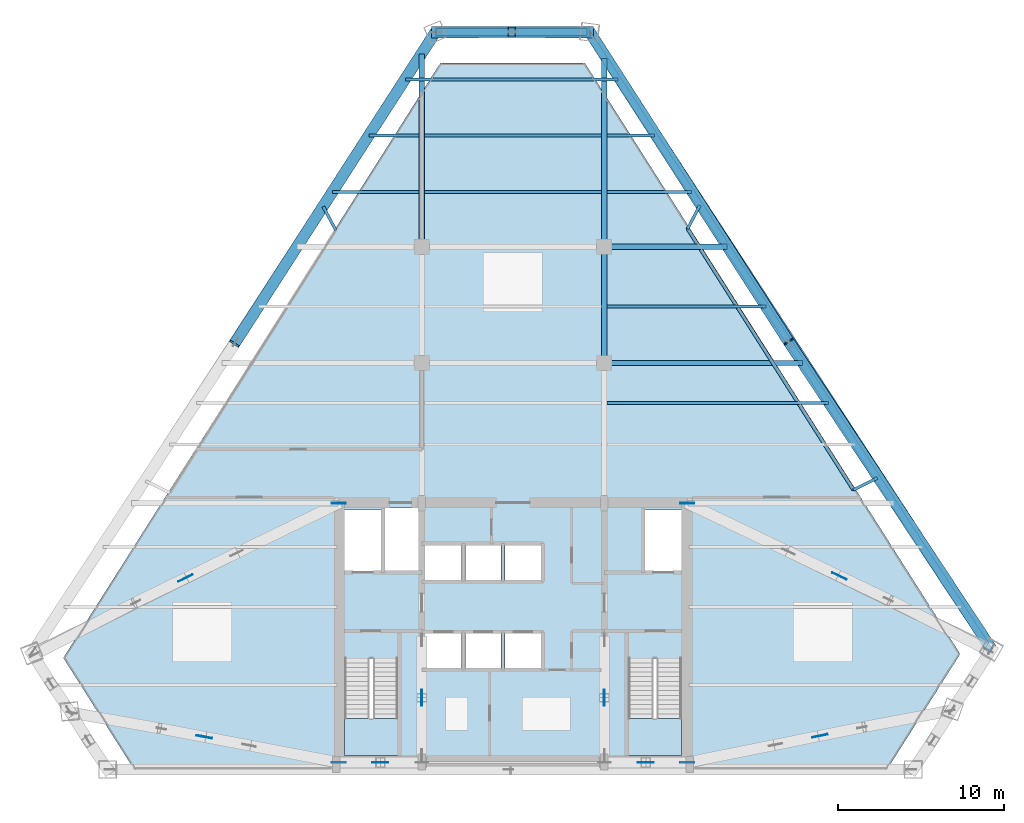
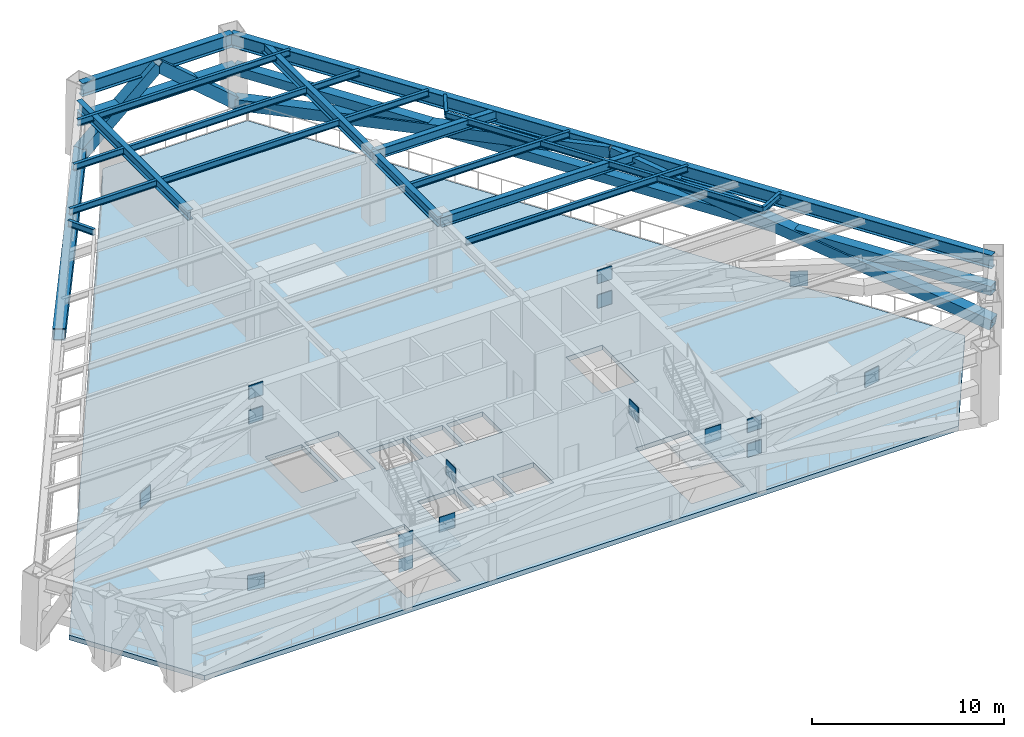
# One storey, part 3 of 9: 20 beams, 16 plates, 7 members, 3 slabs, 2 elements without a shape of their own.
"""IFC4 building model written with IfcOpenShell, lengths in metres."""

from ifc_helpers import new_model, si_unit, direction, frame, origin, origin_2d, place, context, subcontext, project, spatial, polyline, rectangle, hollow_rectangle, i_section, outline, extrude, source, transform, mapped, material, layer, layer_set, material_profile, profile_set, type_object, type_shapes, element, aggregate, save


model = new_model("IFC4")

# Units and contexts
model_context = context("Model", 3, precision=1e-05, world=origin(), true_north=direction((0.0, 1.0)))
body_context = subcontext(model_context, "Body", "Model", "MODEL_VIEW")
ifc_project = project(units=[si_unit("LENGTHUNIT", "METRE"), si_unit("AREAUNIT", "SQUARE_METRE"), si_unit("VOLUMEUNIT", "CUBIC_METRE"), si_unit("PLANEANGLEUNIT", "RADIAN"), si_unit("MASSUNIT", "GRAM", prefix="KILO")], contexts=[model_context])

# Site, building, storey
site_placement = place(None, origin())
site = spatial("IfcSite", under=ifc_project, at=site_placement, CompositionType="ELEMENT")
building_placement = place(site_placement, origin())
building = spatial("IfcBuilding", under=site, at=building_placement, Name="Varnakhor Terracotta Tower", CompositionType="ELEMENT")
storey_placement = place(building_placement, frame((0.0, 0.0, 166.300048828125)))
storey = spatial("IfcBuildingStorey", under=building, at=storey_placement, Name="L42", CompositionType="ELEMENT", Elevation=166.300048828125)

# Beams
ifc_material_1 = material(Name="Steel S355", Category="steel")
ifc_material_profile_1 = material_profile(ifc_material_1, i_section(OverallWidth=0.324951171875, OverallDepth=0.615966796875, WebThickness=0.013916015625, FlangeThickness=0.02197265625, FilletRadius=0.01806640625, at=origin_2d()), Name="W24X117")
ifc_profile_set_1 = profile_set([ifc_material_profile_1], Name="Steel S355")
beam_type_1 = type_object("IfcBeamType", Name="BM-W24X117", PredefinedType="BEAM", material=ifc_profile_set_1)
shared_shape_1 = source(origin(), body_context, "Body", "SweptSolid", [
    extrude(i_section(OverallWidth=0.324951171875, OverallDepth=0.615966796875, WebThickness=0.013916015625, FlangeThickness=0.02197265625, FilletRadius=0.01806640625, at=origin_2d()), origin(), (0.0, 0.0, 1.0), 7.0),
])
beam_1_placement = place(storey_placement, frame((5.5, 24.5, 4.161865234375), z_axis=(0.0, 1.0, 0.0), x_axis=(-1.0, 0.0, 0.0)))
element("IfcBeam", 1, at=beam_1_placement, inside=storey, type_object=beam_type_1, Name="L42 Primary Girder NS2-E", PredefinedType="BEAM", context=body_context, shape_type="MappedRepresentation", body=[
    mapped(shared_shape_1, transform((0.0, 0.0, 0.0), scale=1.0)),
])
ifc_material_profile_2 = material_profile(ifc_material_1, i_section(OverallWidth=0.179931640625, OverallDepth=0.4130859375, WebThickness=0.009765625, FlangeThickness=0.01611328125, FilletRadius=0.01806640625, at=origin_2d()), Name="W16X50")
ifc_profile_set_2 = profile_set([ifc_material_profile_2], Name="Steel S355")
beam_type_2 = type_object("IfcBeamType", Name="JST-W16X50", PredefinedType="JOIST", material=ifc_profile_set_2)
shared_shape_2 = source(origin(), body_context, "Body", "SweptSolid", [
    extrude(i_section(OverallWidth=0.179931640625, OverallDepth=0.4130859375, WebThickness=0.009765625, FlangeThickness=0.01611328125, FilletRadius=0.01806640625, at=origin_2d()), origin(), (0.0, 0.0, 1.0), 10.68310546875),
])
for number, where, z_axis, x_axis, name in (
    (2, (-5.341552734375, 34.800048828125, 4.263427734375), (1.0, 0.0, 0.0), (0.0, 1.0, 0.0), "L42 Composite Floor Joist 7-2"),
    (3, (-5.341552734375, 38.199951171875, 4.263427734375), (1.0, 0.0, 0.0), (0.0, 1.0, 0.0), "L42 Composite Floor Joist 8-2"),
):
    element("IfcBeam", number, at=place(storey_placement, frame(where, z_axis=z_axis, x_axis=x_axis)), inside=storey, type_object=beam_type_2, Name=name, PredefinedType="JOIST", context=body_context, shape_type="MappedRepresentation", body=[
        mapped(shared_shape_2, transform((0.0, 0.0, 0.0), scale=1.0)),
    ])
ifc_material_profile_3 = material_profile(ifc_material_1, i_section(OverallWidth=0.39990234375, OverallDepth=0.85498046875, WebThickness=0.01806640625, FlangeThickness=0.029052734375, FilletRadius=0.01806640625, at=origin_2d()), Name="W33X201")
ifc_profile_set_3 = profile_set([ifc_material_profile_3], Name="Steel S355")
beam_type_3 = type_object("IfcBeamType", Name="BM-W33X201", PredefinedType="BEAM", material=ifc_profile_set_3)
shared_shape_3 = source(origin(), body_context, "Body", "SweptSolid", [
    extrude(i_section(OverallWidth=0.39990234375, OverallDepth=0.85498046875, WebThickness=0.01806640625, FlangeThickness=0.029052734375, FilletRadius=0.01806640625, at=origin_2d()), origin(), (0.0, 0.0, 1.0), 44.542724609375),
])
beam_2_placement = place(storey_placement, frame((28.7568359375, 7.122802734375, 4.04248046875), z_axis=(-0.545582940286, 0.838056832959, 0.0), x_axis=(-0.838056832959, -0.545582940286, 0.0)))
element("IfcBeam", 4, at=beam_2_placement, inside=storey, type_object=beam_type_3, Name="L42 Perimeter Spandrel 4", PredefinedType="BEAM", context=body_context, shape_type="MappedRepresentation", body=[
    mapped(shared_shape_3, transform((0.0, 0.0, 0.0), scale=1.0)),
])
shared_shape_4 = source(origin(), body_context, "Body", "SweptSolid", [
    extrude(i_section(OverallWidth=0.39990234375, OverallDepth=0.85498046875, WebThickness=0.01806640625, FlangeThickness=0.029052734375, FilletRadius=0.01806640625, at=origin_2d()), origin(), (0.0, 0.0, 1.0), 9.0888671875),
])
beam_3_placement = place(storey_placement, frame((4.455078125, 44.4521484375, 4.04248046875), z_axis=(-1.0, 0.0, 0.0), x_axis=(0.0, -1.0, 0.0)))
element("IfcBeam", 5, at=beam_3_placement, inside=storey, type_object=beam_type_3, Name="L42 Perimeter Spandrel 5", PredefinedType="BEAM", context=body_context, shape_type="MappedRepresentation", body=[
    mapped(shared_shape_4, transform((0.0, 0.0, 0.0), scale=1.0)),
])
ifc_material_profile_4 = material_profile(ifc_material_1, i_section(OverallWidth=0.179931640625, OverallDepth=0.39990234375, WebThickness=0.008544921875, FlangeThickness=0.013427734375, FilletRadius=0.01806640625, at=origin_2d()), Name="IPE400")
ifc_profile_set_4 = profile_set([ifc_material_profile_4], Name="Steel S355")
beam_type_4 = type_object("IfcBeamType", Name="JST-IPE400", PredefinedType="JOIST", material=ifc_profile_set_4)
shared_shape_5 = source(origin(), body_context, "Body", "SweptSolid", [
    extrude(i_section(OverallWidth=0.179931640625, OverallDepth=0.39990234375, WebThickness=0.008544921875, FlangeThickness=0.013427734375, FilletRadius=0.01806640625, at=origin_2d()), origin(), (0.0, 0.0, 1.0), 18.641845703125),
])
beam_4_placement = place(storey_placement, frame((20.50390625, 16.840576171875, 4.27001953125), z_axis=(-0.535931982842, 0.844261162062, 0.0), x_axis=(-0.844261162062, -0.535931982842, 0.0)))
element("IfcBeam", 6, at=beam_4_placement, inside=storey, type_object=beam_type_4, Name="L42 Loggia Edge Beam 1", PredefinedType="JOIST", context=body_context, shape_type="MappedRepresentation", body=[
    mapped(shared_shape_5, transform((0.0, 0.0, 0.0), scale=1.0)),
])
shared_shape_6 = source(origin(), body_context, "Body", "SweptSolid", [
    extrude(i_section(OverallWidth=0.324951171875, OverallDepth=0.615966796875, WebThickness=0.013916015625, FlangeThickness=0.02197265625, FilletRadius=0.01806640625, at=origin_2d()), origin(), (0.0, 0.0, 1.0), 11.61328125),
])
beam_5_placement = place(storey_placement, frame((-5.5, 31.5, 4.161865234375), z_axis=(0.0, 1.0, 0.0), x_axis=(-1.0, 0.0, 0.0)))
element("IfcBeam", 7, at=beam_5_placement, inside=storey, type_object=beam_type_1, Name="L42 Primary Girder NS3-W", PredefinedType="BEAM", context=body_context, shape_type="MappedRepresentation", body=[
    mapped(shared_shape_6, transform((0.0, 0.0, 0.0), scale=1.0)),
])
shared_shape_7 = source(origin(), body_context, "Body", "SweptSolid", [
    extrude(i_section(OverallWidth=0.324951171875, OverallDepth=0.615966796875, WebThickness=0.013916015625, FlangeThickness=0.02197265625, FilletRadius=0.01806640625, at=origin_2d()), origin(), (0.0, 0.0, 1.0), 11.346923828125),
])
beam_6_placement = place(storey_placement, frame((5.5, 31.5, 4.161865234375), z_axis=(0.0, 1.0, 0.0), x_axis=(-1.0, 0.0, 0.0)))
element("IfcBeam", 8, at=beam_6_placement, inside=storey, type_object=beam_type_1, Name="L42 Primary Girder NS3-E", PredefinedType="BEAM", context=body_context, shape_type="MappedRepresentation", body=[
    mapped(shared_shape_7, transform((0.0, 0.0, 0.0), scale=1.0)),
])
shared_shape_8 = source(origin(), body_context, "Body", "SweptSolid", [
    extrude(i_section(OverallWidth=0.324951171875, OverallDepth=0.615966796875, WebThickness=0.013916015625, FlangeThickness=0.02197265625, FilletRadius=0.01806640625, at=origin_2d()), origin(), (0.0, 0.0, 1.0), 11.944091796875),
])
beam_7_placement = place(storey_placement, frame((5.5, 24.5, 4.161865234375), z_axis=(1.0, 0.0, 0.0), x_axis=(0.0, 1.0, 0.0)))
element("IfcBeam", 9, at=beam_7_placement, inside=storey, type_object=beam_type_1, Name="L42 Primary Girder EW2-3", PredefinedType="BEAM", context=body_context, shape_type="MappedRepresentation", body=[
    mapped(shared_shape_8, transform((0.0, 0.0, 0.0), scale=1.0)),
])
shared_shape_9 = source(origin(), body_context, "Body", "SweptSolid", [
    extrude(i_section(OverallWidth=0.324951171875, OverallDepth=0.615966796875, WebThickness=0.013916015625, FlangeThickness=0.02197265625, FilletRadius=0.01806640625, at=origin_2d()), origin(), (0.0, 0.0, 1.0), 7.386962890625),
])
beam_8_placement = place(storey_placement, frame((5.5, 31.5, 4.161865234375), z_axis=(1.0, 0.0, 0.0), x_axis=(0.0, 1.0, 0.0)))
element("IfcBeam", 10, at=beam_8_placement, inside=storey, type_object=beam_type_1, Name="L42 Primary Girder EW3-3", PredefinedType="BEAM", context=body_context, shape_type="MappedRepresentation", body=[
    mapped(shared_shape_9, transform((0.0, 0.0, 0.0), scale=1.0)),
])
shared_shape_10 = source(origin(), body_context, "Body", "SweptSolid", [
    extrude(i_section(OverallWidth=0.179931640625, OverallDepth=0.4130859375, WebThickness=0.009765625, FlangeThickness=0.01611328125, FilletRadius=0.01806640625, at=origin_2d()), origin(), (0.0, 0.0, 1.0), 13.34814453125),
])
beam_9_placement = place(storey_placement, frame((5.658447265625, 22.10009765625, 4.263427734375), z_axis=(1.0, 0.0, 0.0), x_axis=(0.0, 1.0, 0.0)))
element("IfcBeam", 11, at=beam_9_placement, inside=storey, type_object=beam_type_2, Name="L42 Composite Floor Joist 5-3", PredefinedType="JOIST", context=body_context, shape_type="MappedRepresentation", body=[
    mapped(shared_shape_10, transform((0.0, 0.0, 0.0), scale=1.0)),
])
shared_shape_11 = source(origin(), body_context, "Body", "SweptSolid", [
    extrude(i_section(OverallWidth=0.179931640625, OverallDepth=0.4130859375, WebThickness=0.009765625, FlangeThickness=0.01611328125, FilletRadius=0.01806640625, at=origin_2d()), origin(), (0.0, 0.0, 1.0), 9.572265625),
])
beam_10_placement = place(storey_placement, frame((5.658447265625, 27.89990234375, 4.263427734375), z_axis=(1.0, 0.0, 0.0), x_axis=(0.0, 1.0, 0.0)))
element("IfcBeam", 12, at=beam_10_placement, inside=storey, type_object=beam_type_2, Name="L42 Composite Floor Joist 6-3", PredefinedType="JOIST", context=body_context, shape_type="MappedRepresentation", body=[
    mapped(shared_shape_11, transform((0.0, 0.0, 0.0), scale=1.0)),
])
shared_shape_12 = source(origin(), body_context, "Body", "SweptSolid", [
    extrude(i_section(OverallWidth=0.179931640625, OverallDepth=0.4130859375, WebThickness=0.009765625, FlangeThickness=0.01611328125, FilletRadius=0.01806640625, at=origin_2d()), origin(), (0.0, 0.0, 1.0), 5.22021484375),
])
beam_11_placement = place(storey_placement, frame((-10.878662109375, 34.800048828125, 4.263427734375), z_axis=(1.0, 0.0, 0.0), x_axis=(0.0, 1.0, 0.0)))
element("IfcBeam", 13, at=beam_11_placement, inside=storey, type_object=beam_type_2, Name="L42 Composite Floor Joist 7-1", PredefinedType="JOIST", context=body_context, shape_type="MappedRepresentation", body=[
    mapped(shared_shape_12, transform((0.0, 0.0, 0.0), scale=1.0)),
])
shared_shape_13 = source(origin(), body_context, "Body", "SweptSolid", [
    extrude(i_section(OverallWidth=0.179931640625, OverallDepth=0.4130859375, WebThickness=0.009765625, FlangeThickness=0.01611328125, FilletRadius=0.01806640625, at=origin_2d()), origin(), (0.0, 0.0, 1.0), 5.080322265625),
])
beam_12_placement = place(storey_placement, frame((5.658447265625, 34.800048828125, 4.263427734375), z_axis=(1.0, 0.0, 0.0), x_axis=(0.0, 1.0, 0.0)))
element("IfcBeam", 14, at=beam_12_placement, inside=storey, type_object=beam_type_2, Name="L42 Composite Floor Joist 7-3", PredefinedType="JOIST", context=body_context, shape_type="MappedRepresentation", body=[
    mapped(shared_shape_13, transform((0.0, 0.0, 0.0), scale=1.0)),
])
shared_shape_14 = source(origin(), body_context, "Body", "SweptSolid", [
    extrude(i_section(OverallWidth=0.179931640625, OverallDepth=0.4130859375, WebThickness=0.009765625, FlangeThickness=0.01611328125, FilletRadius=0.01806640625, at=origin_2d()), origin(), (0.0, 0.0, 1.0), 3.0205078125),
])
beam_13_placement = place(storey_placement, frame((-8.678955078125, 38.199951171875, 4.263427734375), z_axis=(1.0, 0.0, 0.0), x_axis=(0.0, 1.0, 0.0)))
element("IfcBeam", 15, at=beam_13_placement, inside=storey, type_object=beam_type_2, Name="L42 Composite Floor Joist 8-1", PredefinedType="JOIST", context=body_context, shape_type="MappedRepresentation", body=[
    mapped(shared_shape_14, transform((0.0, 0.0, 0.0), scale=1.0)),
])
shared_shape_15 = source(origin(), body_context, "Body", "SweptSolid", [
    extrude(i_section(OverallWidth=0.179931640625, OverallDepth=0.4130859375, WebThickness=0.009765625, FlangeThickness=0.01611328125, FilletRadius=0.01806640625, at=origin_2d()), origin(), (0.0, 0.0, 1.0), 2.866943359375),
])
beam_14_placement = place(storey_placement, frame((5.658447265625, 38.199951171875, 4.263427734375), z_axis=(1.0, 0.0, 0.0), x_axis=(0.0, 1.0, 0.0)))
element("IfcBeam", 16, at=beam_14_placement, inside=storey, type_object=beam_type_2, Name="L42 Composite Floor Joist 8-3", PredefinedType="JOIST", context=body_context, shape_type="MappedRepresentation", body=[
    mapped(shared_shape_15, transform((0.0, 0.0, 0.0), scale=1.0)),
])
shared_shape_16 = source(origin(), body_context, "Body", "SweptSolid", [
    extrude(i_section(OverallWidth=0.179931640625, OverallDepth=0.4130859375, WebThickness=0.009765625, FlangeThickness=0.01611328125, FilletRadius=0.01806640625, at=origin_2d()), origin(), (0.0, 0.0, 1.0), 12.791015625),
])
beam_15_placement = place(storey_placement, frame((-6.479248046875, 41.60009765625, 4.263427734375), z_axis=(1.0, 0.0, 0.0), x_axis=(0.0, 1.0, 0.0)))
element("IfcBeam", 17, at=beam_15_placement, inside=storey, type_object=beam_type_2, Name="L42 Composite Floor Joist 9-1", PredefinedType="JOIST", context=body_context, shape_type="MappedRepresentation", body=[
    mapped(shared_shape_16, transform((0.0, 0.0, 0.0), scale=1.0)),
])

# Members
ifc_material_2 = material(Name="Steel S460", Category="steel")
ifc_material_profile_5 = material_profile(ifc_material_2, hollow_rectangle(XDim=0.679931640625, YDim=0.679931640625, WallThickness=0.048095703125, at=origin_2d()), Name="HSS680X680X48")
ifc_profile_set_5 = profile_set([ifc_material_profile_5], Name="Steel S460")
member_type_1 = type_object("IfcMemberType", Name="MBR-OUTRIGGER-680", PredefinedType="BRACE", material=ifc_profile_set_5)
shared_shape_17 = source(origin(), body_context, "Body", "SweptSolid", [
    extrude(hollow_rectangle(XDim=0.679931640625, YDim=0.679931640625, WallThickness=0.048095703125, at=origin_2d()), origin(), (0.0, 0.0, 1.0), 22.5634765625),
])
member_1_placement = place(storey_placement, frame((28.83740234375, 7.2626953125, 0.0), z_axis=(-0.542089184348, 0.821000020774, 0.17915993442), x_axis=(-0.834502299578, -0.551004457331, 0.0)))
element("IfcMember", 18, at=member_1_placement, inside=storey, type_object=member_type_1, Name="L42 Belt-Truss Diagonal NEA", PredefinedType="BRACE", context=body_context, shape_type="MappedRepresentation", body=[
    mapped(shared_shape_17, transform((0.0, 0.0, 0.0), scale=1.0)),
])
shared_shape_18 = source(origin(), body_context, "Body", "SweptSolid", [
    extrude(hollow_rectangle(XDim=0.679931640625, YDim=0.679931640625, WallThickness=0.048095703125, at=origin_2d()), origin(), (0.0, 0.0, 1.0), 22.52197265625),
])
member_2_placement = place(storey_placement, frame((4.63134765625, 44.428955078125, 0.0), z_axis=(0.53168407793, -0.827704890198, 0.179489988631), x_axis=(0.841368889282, 0.540461277195, 0.0)))
element("IfcMember", 19, at=member_2_placement, inside=storey, type_object=member_type_1, Name="L42 Belt-Truss Diagonal NEB", PredefinedType="BRACE", context=body_context, shape_type="MappedRepresentation", body=[
    mapped(shared_shape_18, transform((0.0, 0.0, 0.0), scale=1.0)),
])
ifc_material_profile_6 = material_profile(ifc_material_2, hollow_rectangle(XDim=0.580078125, YDim=0.580078125, WallThickness=0.0380859375, at=origin_2d()), Name="HSS580X580X38")
ifc_profile_set_6 = profile_set([ifc_material_profile_6], Name="Steel S460")
member_type_2 = type_object("IfcMemberType", Name="MBR-BELT-CHORD-580", PredefinedType="CHORD", material=ifc_profile_set_6)
shared_shape_19 = source(origin(), body_context, "Body", "SweptSolid", [
    extrude(hollow_rectangle(XDim=0.580078125, YDim=0.580078125, WallThickness=0.0380859375, at=origin_2d()), origin(), (0.0, 0.0, 1.0), 44.353759765625),
])
member_3_placement = place(storey_placement, frame((28.83740234375, 7.2626953125, 2.14990234375), z_axis=(-0.545748679422, 0.837948911873, 0.0), x_axis=(-0.837948911873, -0.545748679422, 0.0)))
element("IfcMember", 20, at=member_3_placement, inside=storey, type_object=member_type_2, Name="L42 Belt-Truss Bottom Chord NE", PredefinedType="CHORD", context=body_context, shape_type="MappedRepresentation", body=[
    mapped(shared_shape_19, transform((0.0, 0.0, 0.0), scale=1.0)),
])
shared_shape_20 = source(origin(), body_context, "Body", "SweptSolid", [
    extrude(hollow_rectangle(XDim=0.679931640625, YDim=0.679931640625, WallThickness=0.048095703125, at=origin_2d()), origin(), (0.0, 0.0, 1.0), 6.215087890625),
])
member_4_placement = place(storey_placement, frame((4.63134765625, 44.428955078125, 0.0), z_axis=(-0.759556245136, 0.00373178751, 0.650430921957), x_axis=(-0.004913056135, -0.999987930867, 0.0)))
element("IfcMember", 21, at=member_4_placement, inside=storey, type_object=member_type_1, Name="L42 Belt-Truss Diagonal N1A", PredefinedType="BRACE", context=body_context, shape_type="MappedRepresentation", body=[
    mapped(shared_shape_20, transform((0.0, 0.0, 0.0), scale=1.0)),
])
shared_shape_21 = source(origin(), body_context, "Body", "SweptSolid", [
    extrude(hollow_rectangle(XDim=0.679931640625, YDim=0.679931640625, WallThickness=0.048095703125, at=origin_2d()), origin(), (0.0, 0.0, 1.0), 6.123779296875),
])
member_5_placement = place(storey_placement, frame((-4.689208984375, 44.428955078125, 0.0), z_axis=(0.751144534531, 0.003787417376, 0.660126914854), x_axis=(-0.005042131118, 0.999987288376, 0.0)))
element("IfcMember", 22, at=member_5_placement, inside=storey, type_object=member_type_1, Name="L42 Belt-Truss Diagonal N1B", PredefinedType="BRACE", context=body_context, shape_type="MappedRepresentation", body=[
    mapped(shared_shape_21, transform((0.0, 0.0, 0.0), scale=1.0)),
])
shared_shape_22 = source(origin(), body_context, "Body", "SweptSolid", [
    extrude(hollow_rectangle(XDim=0.580078125, YDim=0.580078125, WallThickness=0.0380859375, at=origin_2d()), origin(), (0.0, 0.0, 1.0), 9.320556640625),
])
member_6_placement = place(storey_placement, frame((4.63134765625, 44.428955078125, 2.14990234375), z_axis=(-1.0, 0.0, 0.0), x_axis=(0.0, -1.0, 0.0)))
element("IfcMember", 23, at=member_6_placement, inside=storey, type_object=member_type_2, Name="L42 Belt-Truss Bottom Chord N1", PredefinedType="CHORD", context=body_context, shape_type="MappedRepresentation", body=[
    mapped(shared_shape_22, transform((0.0, 0.0, 0.0), scale=1.0)),
])
shared_shape_23 = source(origin(), body_context, "Body", "SweptSolid", [
    extrude(hollow_rectangle(XDim=0.679931640625, YDim=0.679931640625, WallThickness=0.048095703125, at=origin_2d()), origin(), (0.0, 0.0, 1.0), 22.6953125),
])
member_7_placement = place(storey_placement, frame((-4.689208984375, 44.428955078125, 0.0), z_axis=(-0.533272144759, -0.826978988572, 0.178119544367), x_axis=(0.840418237965, -0.541938359314, 0.0)))
element("IfcMember", 24, at=member_7_placement, inside=storey, type_object=member_type_1, Name="L42 Belt-Truss Diagonal NWA", PredefinedType="BRACE", context=body_context, shape_type="MappedRepresentation", body=[
    mapped(shared_shape_23, transform((0.0, 0.0, 0.0), scale=1.0)),
])

# Beams
shared_shape_24 = source(origin(), body_context, "Body", "SweptSolid", [
    extrude(i_section(OverallWidth=0.179931640625, OverallDepth=0.39990234375, WebThickness=0.008544921875, FlangeThickness=0.013427734375, FilletRadius=0.01806640625, at=origin_2d()), origin(), (0.0, 0.0, 1.0), 1.603515625),
])
beam_16_placement = place(storey_placement, frame((-10.693115234375, 32.510986328125, 4.27001953125), z_axis=(-0.46725802364, 0.884120998135, 0.0), x_axis=(-0.884120998135, -0.46725802364, 0.0)))
element("IfcBeam", 25, at=beam_16_placement, inside=storey, type_object=beam_type_4, Name="L43 W Loggia Tie Beam 2", PredefinedType="JOIST", context=body_context, shape_type="MappedRepresentation", body=[
    mapped(shared_shape_24, transform((0.0, 0.0, 0.0), scale=1.0)),
])
shared_shape_25 = source(origin(), body_context, "Body", "SweptSolid", [
    extrude(i_section(OverallWidth=0.179931640625, OverallDepth=0.39990234375, WebThickness=0.008544921875, FlangeThickness=0.013427734375, FilletRadius=0.01806640625, at=origin_2d()), origin(), (0.0, 0.0, 1.0), 1.6240234375),
])
beam_17_placement = place(storey_placement, frame((20.50390625, 16.840576171875, 4.27001953125), z_axis=(0.891917760055, 0.452197644066, 0.0), x_axis=(-0.452197644066, 0.891917760055, 0.0)))
element("IfcBeam", 26, at=beam_17_placement, inside=storey, type_object=beam_type_4, Name="L43 E Loggia Tie Beam 2", PredefinedType="JOIST", context=body_context, shape_type="MappedRepresentation", body=[
    mapped(shared_shape_25, transform((0.0, 0.0, 0.0), scale=1.0)),
])
shared_shape_26 = source(origin(), body_context, "Body", "SweptSolid", [
    extrude(i_section(OverallWidth=0.179931640625, OverallDepth=0.39990234375, WebThickness=0.008544921875, FlangeThickness=0.013427734375, FilletRadius=0.01806640625, at=origin_2d()), origin(), (0.0, 0.0, 1.0), 1.60498046875),
])
beam_18_placement = place(storey_placement, frame((10.51318359375, 32.5791015625, 4.27001953125), z_axis=(0.465012759571, 0.885303977985, 0.0), x_axis=(-0.885303977985, 0.465012759571, 0.0)))
element("IfcBeam", 27, at=beam_18_placement, inside=storey, type_object=beam_type_4, Name="L43 E Loggia Tie Beam 1", PredefinedType="JOIST", context=body_context, shape_type="MappedRepresentation", body=[
    mapped(shared_shape_26, transform((0.0, 0.0, 0.0), scale=1.0)),
])

# Stair, slab
ifc_material_3 = material(Name="Concrete C40/50", Category="concrete")
stair_type = type_object("IfcStairType", Name="STR-CORE-OFFICE-1500", PredefinedType="HALF_TURN_STAIR", material=ifc_material_3)
stair_1_placement = place(storey_placement, origin())
stair_1 = element("IfcStair", 28, at=stair_1_placement, inside=storey, type_object=stair_type, Name="L42 Core Exit Stair ST-1", PredefinedType="HALF_TURN_STAIR")
ifc_layer_1 = layer(ifc_material_3, 0.179931640625, Name="Concrete C40/50")
ifc_layer_set_1 = layer_set([ifc_layer_1], Name="Concrete C40/50")
slab_type_1 = type_object("IfcSlabType", Name="SLB-LANDING-180", PredefinedType="LANDING", material=ifc_layer_set_1)
slab_1_placement = place(storey_placement, frame((0.0, 0.0, 2.14990234375)))
slab_1 = element("IfcSlab", 29, at=slab_1_placement, type_object=slab_type_1, Name="ST-1 landing 1", PredefinedType="LANDING", context=body_context, shape_type="SweptSolid", body=[
    extrude(outline(polyline([(-10.14990234375, 3.070068359375), (-10.14990234375, 0.85009765625), (-6.949951171875, 0.85009765625), (-6.949951171875, 3.070068359375), (-10.14990234375, 3.070068359375)])), origin(), (0.0, 0.0, 1.0), 0.199951171875),
])
aggregate(stair_1, [slab_1])

stair_2_placement = place(storey_placement, origin())
stair_2 = element("IfcStair", 30, at=stair_2_placement, inside=storey, type_object=stair_type, Name="L42 Core Exit Stair ST-2", PredefinedType="HALF_TURN_STAIR")
slab_2_placement = place(storey_placement, frame((0.0, 0.0, 2.14990234375)))
slab_2 = element("IfcSlab", 31, at=slab_2_placement, type_object=slab_type_1, Name="ST-2 landing 1", PredefinedType="LANDING", context=body_context, shape_type="SweptSolid", body=[
    extrude(outline(polyline([(6.949951171875, 3.070068359375), (6.949951171875, 0.85009765625), (10.14990234375, 0.85009765625), (10.14990234375, 3.070068359375), (6.949951171875, 3.070068359375)])), origin(), (0.0, 0.0, 1.0), 0.199951171875),
])
aggregate(stair_2, [slab_2])

# Slab
ifc_layer_2 = layer(ifc_material_3, 0.300048828125, Name="Concrete C40/50")
ifc_layer_set_2 = layer_set([ifc_layer_2], Name="Concrete C40/50")
slab_type_2 = type_object("IfcSlabType", Name="SLB-PLANT-300", PredefinedType="FLOOR", material=ifc_layer_set_2)
slab_3_placement = place(storey_placement, frame((0.0, 0.0, -0.300048828125)))
element("IfcSlab", 32, at=slab_3_placement, inside=storey, type_object=slab_type_2, Name="L42 Structural Floor Slab", PredefinedType="FLOOR", context=body_context, shape_type="SweptSolid", body=[
    extrude(outline(polyline([(-27.106201171875, 6.72412109375), (-4.3837890625, 42.577392578125), (4.325927734375, 42.577392578125), (26.947265625, 6.9599609375), (22.5361328125, 0.0), (-22.835693359375, 0.0), (-27.106201171875, 6.72412109375)]), holes=[polyline([(-6.949951171875, 0.85009765625), (-6.949951171875, 6.695068359375), (-10.14990234375, 6.695068359375), (-10.14990234375, 0.85009765625), (-6.949951171875, 0.85009765625)]), polyline([(-3.10009765625, 6.10009765625), (-3.10009765625, 8.199951171875), (-5.300048828125, 8.199951171875), (-5.300048828125, 6.10009765625), (-3.10009765625, 6.10009765625)]), polyline([(-0.719970703125, 6.10009765625), (-0.719970703125, 8.199951171875), (-2.8798828125, 8.199951171875), (-2.8798828125, 6.10009765625), (-0.719970703125, 6.10009765625)]), polyline([(-5.300048828125, 11.419921875), (-3.10009765625, 11.419921875), (-3.10009765625, 13.52001953125), (-5.300048828125, 13.52001953125), (-5.300048828125, 11.419921875)]), polyline([(-10.14990234375, 11.8798828125), (-7.949951171875, 11.8798828125), (-7.949951171875, 15.64990234375), (-10.14990234375, 15.64990234375), (-10.14990234375, 11.8798828125)]), polyline([(-5.699951171875, 11.8798828125), (-5.699951171875, 15.75), (-7.72998046875, 15.75), (-7.72998046875, 11.8798828125), (-5.699951171875, 11.8798828125)]), polyline([(6.949951171875, 0.85009765625), (10.14990234375, 0.85009765625), (10.14990234375, 6.695068359375), (6.949951171875, 6.695068359375), (6.949951171875, 0.85009765625)]), polyline([(-0.5, 6.10009765625), (1.699951171875, 6.10009765625), (1.699951171875, 8.199951171875), (-0.5, 8.199951171875), (-0.5, 6.10009765625)]), polyline([(-0.719970703125, 11.419921875), (-0.719970703125, 13.52001953125), (-2.8798828125, 13.52001953125), (-2.8798828125, 11.419921875), (-0.719970703125, 11.419921875)]), polyline([(-0.5, 11.419921875), (1.699951171875, 11.419921875), (1.699951171875, 13.52001953125), (-0.5, 13.52001953125), (-0.5, 11.419921875)]), polyline([(7.949951171875, 11.8798828125), (10.14990234375, 11.8798828125), (10.14990234375, 15.64990234375), (7.949951171875, 15.64990234375), (7.949951171875, 11.8798828125)])]), origin(), (0.0, 0.0, 1.0), 0.300048828125),
])

# Plates
ifc_layer_3 = layer(ifc_material_2, 0.050048828125, Name="Steel S460")
ifc_layer_set_3 = layer_set([ifc_layer_3], Name="Steel S460")
plate_type_1 = type_object("IfcPlateType", Name="PLT-GUSSET-50", PredefinedType="USERDEFINED", material=ifc_layer_set_3)
shared_shape_27 = source(origin(), body_context, "Body", "SweptSolid", [
    extrude(rectangle(XDim=0.949951171875, YDim=0.044921875, at=origin_2d()), origin(), (0.0, 0.0, 1.0), 0.949951171875),
])
for number, where, z_axis, x_axis, name in (
    (33, (-8.0, 0.419921875, 3.84521484375), (0.0, 0.0, 1.0), (1.0, 0.0, 0.0), "L42 Core Brace Apex Gusset CSW"),
    (34, (8.0, 0.419921875, 3.84521484375), (0.0, 0.0, 1.0), (1.0, 0.0, 0.0), "L42 Core Brace Apex Gusset CSE"),
    (35, (-5.5, 4.324951171875, 3.84521484375), (0.0, 0.0, 1.0), (0.0, 1.0, 0.0), "L42 Core Brace Apex Gusset CWW"),
    (36, (5.5, 4.324951171875, 3.84521484375), (0.0, 0.0, 1.0), (0.0, 1.0, 0.0), "L42 Core Brace Apex Gusset CWE"),
):
    element("IfcPlate", number, at=place(storey_placement, frame(where, z_axis=z_axis, x_axis=x_axis)), inside=storey, type_object=plate_type_1, Name=name, ObjectType="GUSSET PLATE", PredefinedType="USERDEFINED", context=body_context, shape_type="MappedRepresentation", body=[
        mapped(shared_shape_27, transform((0.0, 0.0, 0.0), scale=1.0)),
    ])
shared_shape_28 = source(origin(), body_context, "Body", "SweptSolid", [
    extrude(rectangle(XDim=0.85009765625, YDim=0.044921875, at=origin_2d()), origin(), (0.0, 0.0, 1.0), 0.85009765625),
])
for number, where, z_axis, x_axis, name in (
    (37, (-10.5, 0.419921875, 2.125), (0.0, 0.0, 1.0), (1.0, 0.0, 0.0), "L42 Outrigger Core Embed Plate OW1-BOT"),
    (38, (-10.5, 0.419921875, 3.69482421875), (0.0, 0.0, 1.0), (1.0, 0.0, 0.0), "L42 Outrigger Core Embed Plate OW1-TOP"),
    (39, (-10.5, 16.050048828125, 2.125), (0.0, 0.0, 1.0), (1.0, 0.0, 0.0), "L42 Outrigger Core Embed Plate OW2-BOT"),
    (40, (-10.5, 16.050048828125, 3.69482421875), (0.0, 0.0, 1.0), (1.0, 0.0, 0.0), "L42 Outrigger Core Embed Plate OW2-TOP"),
    (41, (10.5, 0.419921875, 2.125), (0.0, 0.0, 1.0), (1.0, 0.0, 0.0), "L42 Outrigger Core Embed Plate OE1-BOT"),
    (42, (10.5, 0.419921875, 3.69482421875), (0.0, 0.0, 1.0), (1.0, 0.0, 0.0), "L42 Outrigger Core Embed Plate OE1-TOP"),
    (43, (10.5, 16.050048828125, 2.125), (0.0, 0.0, 1.0), (1.0, 0.0, 0.0), "L42 Outrigger Core Embed Plate OE2-BOT"),
    (44, (10.5, 16.050048828125, 3.69482421875), (0.0, 0.0, 1.0), (1.0, 0.0, 0.0), "L42 Outrigger Core Embed Plate OE2-TOP"),
):
    element("IfcPlate", number, at=place(storey_placement, frame(where, z_axis=z_axis, x_axis=x_axis)), inside=storey, type_object=plate_type_1, Name=name, ObjectType="GUSSET PLATE", PredefinedType="USERDEFINED", context=body_context, shape_type="MappedRepresentation", body=[
        mapped(shared_shape_28, transform((0.0, 0.0, 0.0), scale=1.0)),
    ])
ifc_layer_4 = layer(ifc_material_2, 0.044921875, Name="Steel S460")
ifc_layer_set_4 = layer_set([ifc_layer_4], Name="Steel S460")
plate_type_2 = type_object("IfcPlateType", Name="PLT-GUSSET-45", PredefinedType="USERDEFINED", material=ifc_layer_set_4)
shared_shape_29 = source(origin(), body_context, "Body", "SweptSolid", [
    extrude(rectangle(XDim=0.949951171875, YDim=0.044921875, at=origin_2d()), origin(), (0.0, 0.0, 1.0), 0.949951171875),
])
type_shapes(plate_type_2, [shared_shape_29])
for number, where, z_axis, x_axis, name in (
    (45, (-18.611083984375, 1.964111328125, 2.85986328125), (0.0, 0.0, 1.0), (-0.982359127575, 0.187004129554, 0.0), "L42 Outrigger X-Crossing Gusset Plate OW1"),
    (46, (-19.75341796875, 11.533203125, 2.85986328125), (0.0, 0.0, 1.0), (-0.89865628359, -0.438653489629, 0.0), "L42 Outrigger X-Crossing Gusset Plate OW2"),
    (47, (18.488525390625, 2.025634765625, 2.85986328125), (0.0, 0.0, 1.0), (0.980391733715, 0.197058489953, 0.0), "L42 Outrigger X-Crossing Gusset Plate OE1"),
    (48, (19.668701171875, 11.65625, 2.85986328125), (0.0, 0.0, 1.0), (0.901802358932, -0.432148707537, 0.0), "L42 Outrigger X-Crossing Gusset Plate OE2"),
):
    element("IfcPlate", number, at=place(storey_placement, frame(where, z_axis=z_axis, x_axis=x_axis)), inside=storey, type_object=plate_type_2, Name=name, ObjectType="GUSSET PLATE", PredefinedType="USERDEFINED", context=body_context, shape_type="MappedRepresentation", body=[
        mapped(shared_shape_29, transform((0.0, 0.0, 0.0), scale=1.0)),
    ])

save(model, "model.ifc")
